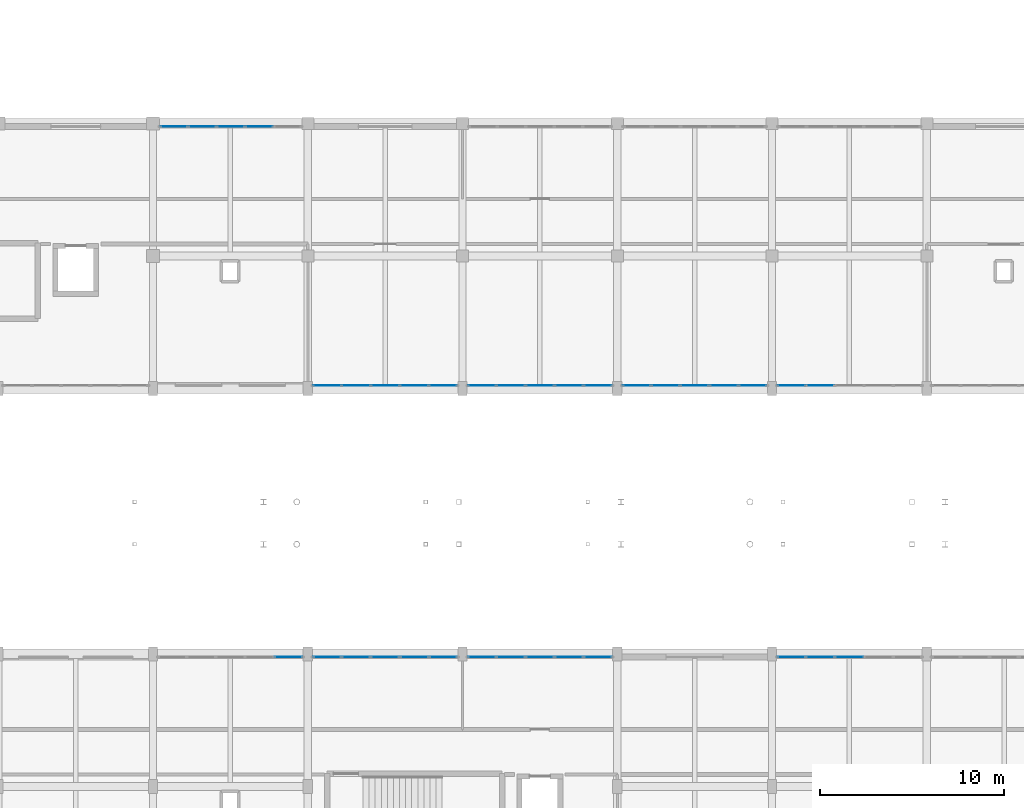
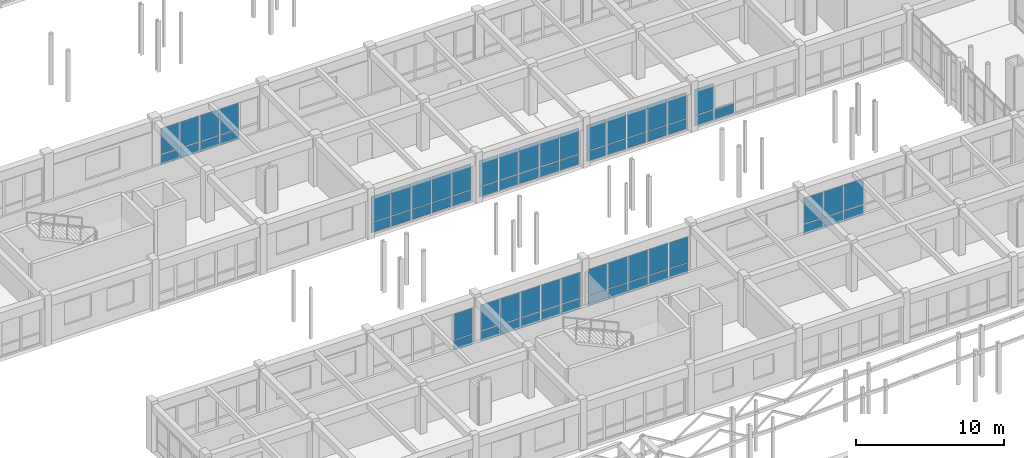
# One storey, part 107 of 147: 69 plates, 9 elements without a shape of their own.
"""IFC4 building model written with IfcOpenShell, lengths in metres."""

import ifcopenshell
import ifcopenshell.guid

model = None  # the IFC model being written
_history = None  # IfcOwnerHistory: only IFC2X3 demands one
_inside = {}  # id of a spatial element -> (the spatial element, [elements in it])
_under = {}  # id of a project, library or spatial element -> (it, [spatial elements below it])
_declared = {}  # id of a project -> (the project, [libraries it declares])
_typed = {}  # id of a type object -> (the type object, [elements of that type])
_made_of = {}  # id of a material, layer set ... -> (it, [elements and type objects made of it])


def new_model(schema):
    """Start an empty IFC model of exactly this schema.

    Asked for "IFC4X3", IfcOpenShell would pick the latest addendum, in which some entities
    have other attributes; the version numbers below select the first issue.
    IFC2X3 requires an IfcOwnerHistory on every rooted entity: one is made here for all.
    """
    global model, _history
    if schema == "IFC4X3":
        model = ifcopenshell.file(schema_version=(4, 3, 0, 0))
    else:
        model = ifcopenshell.file(schema=schema)
    _inside.clear()
    _under.clear()
    _declared.clear()
    _typed.clear()
    _made_of.clear()
    _history = None
    if model.schema == "IFC2X3":
        org = make("IfcOrganization", Name="unknown")
        user = make(
            "IfcPersonAndOrganization",
            ThePerson=make("IfcPerson", FamilyName="unknown"),
            TheOrganization=org,
        )
        app = make(
            "IfcApplication",
            ApplicationDeveloper=org,
            Version="unknown",
            ApplicationFullName="unknown",
            ApplicationIdentifier="unknown",
        )
        _history = make(
            "IfcOwnerHistory",
            OwningUser=user,
            OwningApplication=app,
            ChangeAction="ADDED",
            CreationDate=0,
        )
    return model


def make(cls, **values):
    """One entity of the class cls with the attributes given. An attribute that is None is left unset."""
    return model.create_entity(
        cls, **{name: value for name, value in values.items() if value is not None}
    )


def rooted(cls, **values):
    """An entity with a GlobalId (a new one), such as an element, a storey or a relation."""
    return make(cls, GlobalId=ifcopenshell.guid.new(), OwnerHistory=_history, **values)


def si_unit(unit_type, name, prefix=None):
    """IfcSIUnit, for example si_unit("LENGTHUNIT", "METRE", prefix="MILLI")."""
    return make("IfcSIUnit", UnitType=unit_type, Prefix=prefix, Name=name)


def assignment(units):
    """IfcUnitAssignment: the units of a project."""
    return None if units is None else make("IfcUnitAssignment", Units=units)


def point(xyz):
    """IfcCartesianPoint."""
    return None if xyz is None else make("IfcCartesianPoint", Coordinates=xyz)


def direction(xyz):
    """IfcDirection."""
    return None if xyz is None else make("IfcDirection", DirectionRatios=xyz)


def frame(location, z_axis=None, x_axis=None):
    """IfcAxis2Placement3D, a coordinate frame: its origin and axes. An axis left out is left unset."""
    return make(
        "IfcAxis2Placement3D",
        Location=point(location),
        Axis=direction(z_axis),
        RefDirection=direction(x_axis),
    )


def frame_2d(location, x_axis=None):
    """IfcAxis2Placement2D, a coordinate frame in the plane: its origin and x axis."""
    return make(
        "IfcAxis2Placement2D", Location=point(location), RefDirection=direction(x_axis)
    )


def origin():
    """The frame at (0, 0, 0) with its axes left unset."""
    return frame((0.0, 0.0, 0.0))


def origin_2d():
    """The frame at (0, 0) in the plane with its x axis left unset."""
    return frame_2d((0.0, 0.0))


def place(relative_to, where):
    """IfcLocalPlacement: puts the frame where relative to a parent placement (None: the world)."""
    return make(
        "IfcLocalPlacement", PlacementRelTo=relative_to, RelativePlacement=where
    )


def context(
    kind, dimensions, precision=None, world=None, true_north=None, identifier=None
):
    """IfcGeometricRepresentationContext, for example the 3D "Model" context."""
    return make(
        "IfcGeometricRepresentationContext",
        ContextIdentifier=identifier,
        ContextType=kind,
        CoordinateSpaceDimension=dimensions,
        Precision=precision,
        WorldCoordinateSystem=world,
        TrueNorth=true_north,
    )


def subcontext(parent, identifier, kind, view, scale=None):
    """IfcGeometricRepresentationSubContext, for example "Body" below "Model"."""
    return make(
        "IfcGeometricRepresentationSubContext",
        ContextIdentifier=identifier,
        ContextType=kind,
        ParentContext=parent,
        TargetScale=scale,
        TargetView=view,
    )


def project(units=None, contexts=None):
    """IfcProject with its units and contexts."""
    return rooted(
        "IfcProject",
        Name="project",
        RepresentationContexts=contexts,
        UnitsInContext=assignment(units),
    )


def spatial(cls, under=None, at=None, **own):
    """A site, building, storey or space (cls), placed at a placement, below another one or the project."""
    s = rooted(cls, ObjectPlacement=at, **own)
    if under is not None:
        _under.setdefault(under.id(), (under, []))[1].append(s)
    return s


def profile(cls, at=None, kind="AREA", **sizes):
    """A parametric profile (cls). Its sizes go by their IFC names, for example OverallWidth=200.0."""
    return make(cls, ProfileType=kind, Position=at, **sizes)


def rectangle(**sizes):
    """IfcRectangleProfileDef."""
    return profile("IfcRectangleProfileDef", **sizes)


def extrude(swept, where, along, depth):
    """IfcExtrudedAreaSolid: the profile swept, set in the frame where, extruded along a direction by depth."""
    return make(
        "IfcExtrudedAreaSolid",
        SweptArea=swept,
        Position=where,
        ExtrudedDirection=direction(along),
        Depth=depth,
    )


def shape(context_of_items, identifier, shape_type, items):
    """IfcShapeRepresentation: the items that make up one representation, for example the "Body"."""
    return make(
        "IfcShapeRepresentation",
        ContextOfItems=context_of_items,
        RepresentationIdentifier=identifier,
        RepresentationType=shape_type,
        Items=items,
    )


def material(Name=None, Category=None):
    """IfcMaterial."""
    return make("IfcMaterial", Name=Name, Category=Category)


def layer(
    of_material, thickness, ventilated=None, Name=None, Category=None, Priority=None
):
    """IfcMaterialLayer: one layer of a wall or slab, of a material (None: an air gap)."""
    return make(
        "IfcMaterialLayer",
        Material=of_material,
        LayerThickness=thickness,
        IsVentilated=ventilated,
        Name=Name,
        Category=Category,
        Priority=Priority,
    )


def layer_set(layers, Name=None):
    """IfcMaterialLayerSet."""
    return make("IfcMaterialLayerSet", MaterialLayers=layers, LayerSetName=Name)


def made_of(thing, what):
    """Note that an element or type object is made of a material, layer set ...; save() writes the relation."""
    if what is not None:
        _made_of.setdefault(what.id(), (what, []))[1].append(thing)
    return thing


def type_object(cls, material=None, **own):
    """A type object (cls), such as IfcWallType, which elements share."""
    return made_of(rooted(cls, **own), material)


def element(
    cls,
    number,
    at=None,
    inside=None,
    cuts=None,
    type_object=None,
    material=None,
    context=None,
    identifier="Body",
    shape_type=None,
    held_by="IfcProductDefinitionShape",
    body=None,
    shapes=None,
    **own,
):
    """One element of the class cls, such as IfcWall. Its Tag is "e" and its number.

    at: its placement. inside: the storey or other place that contains it. cuts: it is an
    opening in that element (IfcRelVoidsElement). A single representation is given by context,
    identifier, shape_type and body (its items); several are given by shapes. held_by: the class
    of the entity that holds the representations. save() writes the other relations.
    """
    e = rooted(cls, Tag="e%d" % number, ObjectPlacement=at, **own)
    if body is not None:
        shapes = [shape(context, identifier, shape_type, body)]
    if shapes is not None:
        e.Representation = make(held_by, Representations=shapes)
    if inside is not None:
        _inside.setdefault(inside.id(), (inside, []))[1].append(e)
    if cuts is not None:
        rooted(
            "IfcRelVoidsElement", RelatingBuildingElement=cuts, RelatedOpeningElement=e
        )
    if type_object is not None:
        _typed.setdefault(type_object.id(), (type_object, []))[1].append(e)
    return made_of(e, material)


def aggregate(whole, parts):
    """IfcRelAggregates: a whole, such as a stair, and the parts it consists of."""
    return rooted("IfcRelAggregates", RelatingObject=whole, RelatedObjects=parts)


def save(model, path):
    """Write the relations noted so far, then the file.

    IfcRelAggregates (storeys below a building ...), IfcRelContainedInSpatialStructure (elements
    in a storey), IfcRelDefinesByType, IfcRelAssociatesMaterial and IfcRelDeclares: one each for
    every whole, place, type object, material and project.
    """
    for whole, parts in _under.values():
        aggregate(whole, parts)
    for where, things in _inside.values():
        rooted(
            "IfcRelContainedInSpatialStructure",
            RelatedElements=things,
            RelatingStructure=where,
        )
    for kind, things in _typed.values():
        rooted("IfcRelDefinesByType", RelatedObjects=things, RelatingType=kind)
    for what, things in _made_of.values():
        rooted("IfcRelAssociatesMaterial", RelatedObjects=things, RelatingMaterial=what)
    for by, libraries in _declared.values():
        rooted("IfcRelDeclares", RelatingContext=by, RelatedDefinitions=libraries)
    model.write(path)


model = new_model("IFC4")

# Units and contexts
model_context = context("Model", 3, precision=1e-05, world=origin(), true_north=direction((0.0, 1.0)))
body_context = subcontext(model_context, "Body", "Model", "MODEL_VIEW")
ifc_project = project(units=[si_unit("LENGTHUNIT", "METRE"), si_unit("AREAUNIT", "SQUARE_METRE"), si_unit("VOLUMEUNIT", "CUBIC_METRE"), si_unit("PLANEANGLEUNIT", "RADIAN"), si_unit("MASSUNIT", "GRAM", prefix="KILO")], contexts=[model_context])

# Site, building, storey
site_placement = place(None, origin())
site = spatial("IfcSite", under=ifc_project, at=site_placement, CompositionType="ELEMENT")
building_placement = place(site_placement, origin())
building = spatial("IfcBuilding", under=site, at=building_placement, Name="Malvenik Polytechnic", CompositionType="ELEMENT")
storey_placement = place(building_placement, frame((0.0, 0.0, 5.10009765625)))
storey = spatial("IfcBuildingStorey", under=building, at=storey_placement, Name="L01", CompositionType="ELEMENT", Elevation=5.10009765625)

# Curtain wall, plate
ifc_material_1 = material(Name="Anodised aluminium 6060-T6", Category="aluminium")
curtain_wall_type = type_object("IfcCurtainWallType", Name="ARC-CW-CW-02", PredefinedType="NOTDEFINED", material=ifc_material_1)
curtain_wall_1_placement = place(storey_placement, origin())
curtain_wall_1 = element("IfcCurtainWall", 1, at=curtain_wall_1_placement, inside=storey, type_object=curtain_wall_type, Name="Unitised Curtain Wall CW-02 L01 #26", PredefinedType="NOTDEFINED")
ifc_material_2 = material(Name="Insulated low-E double glazing 8-16-8", Category="glass")
ifc_layer_1 = layer(ifc_material_2, 0.028076171875)
ifc_layer_set_1 = layer_set([ifc_layer_1], Name="Insulated low-E double glazing 8-16-8")
plate_type_1 = type_object("IfcPlateType", Name="ARC-CWP-CP-GLZ28", PredefinedType="CURTAIN_PANEL", material=ifc_layer_set_1)
plate_1_placement = place(storey_placement, frame((59.853515625, 79.3701171875, 0.929931640625), z_axis=(0.0, 0.0, 1.0), x_axis=(-1.0, 0.0, 0.0)))
plate_1 = element("IfcPlate", 2, at=plate_1_placement, type_object=plate_type_1, Name="CW-02 panel 5.2", PredefinedType="CURTAIN_PANEL", context=body_context, shape_type="SweptSolid", body=[
    extrude(rectangle(XDim=1.49072265625, YDim=0.028076171875, at=origin_2d()), origin(), (0.0, 0.0, 1.0), 2.1201171875),
])

# Curtain wall, plates
curtain_wall_2_placement = place(storey_placement, origin())
curtain_wall_2 = element("IfcCurtainWall", 3, at=curtain_wall_2_placement, inside=storey, type_object=curtain_wall_type, Name="Unitised Curtain Wall CW-02 L01 #27", PredefinedType="NOTDEFINED")
plate_2_placement = place(storey_placement, frame((57.74658203125, 79.3701171875, 0.929931640625), z_axis=(0.0, 0.0, 1.0), x_axis=(-1.0, 0.0, 0.0)))
plate_2 = element("IfcPlate", 4, at=plate_2_placement, type_object=plate_type_1, Name="CW-02 panel 1.2", PredefinedType="CURTAIN_PANEL", context=body_context, shape_type="SweptSolid", body=[
    extrude(rectangle(XDim=1.49072265625, YDim=0.028076171875, at=origin_2d()), origin(), (0.0, 0.0, 1.0), 2.1201171875),
])
plate_3_placement = place(storey_placement, frame((56.180908203125, 79.3701171875, 0.929931640625), z_axis=(0.0, 0.0, 1.0), x_axis=(-1.0, 0.0, 0.0)))
plate_3 = element("IfcPlate", 5, at=plate_3_placement, type_object=plate_type_1, Name="CW-02 panel 2.2", PredefinedType="CURTAIN_PANEL", context=body_context, shape_type="SweptSolid", body=[
    extrude(rectangle(XDim=1.520751953125, YDim=0.028076171875, at=origin_2d()), origin(), (0.0, 0.0, 1.0), 2.1201171875),
])
plate_4_placement = place(storey_placement, frame((54.60009765625, 79.3701171875, 0.929931640625), z_axis=(0.0, 0.0, 1.0), x_axis=(-1.0, 0.0, 0.0)))
plate_4 = element("IfcPlate", 6, at=plate_4_placement, type_object=plate_type_1, Name="CW-02 panel 3.2", PredefinedType="CURTAIN_PANEL", context=body_context, shape_type="SweptSolid", body=[
    extrude(rectangle(XDim=1.520751953125, YDim=0.028076171875, at=origin_2d()), origin(), (0.0, 0.0, 1.0), 2.1201171875),
])
plate_5_placement = place(storey_placement, frame((53.019287109375, 79.3701171875, 0.929931640625), z_axis=(0.0, 0.0, 1.0), x_axis=(-1.0, 0.0, 0.0)))
plate_5 = element("IfcPlate", 7, at=plate_5_placement, type_object=plate_type_1, Name="CW-02 panel 4.2", PredefinedType="CURTAIN_PANEL", context=body_context, shape_type="SweptSolid", body=[
    extrude(rectangle(XDim=1.520751953125, YDim=0.028076171875, at=origin_2d()), origin(), (0.0, 0.0, 1.0), 2.1201171875),
])
plate_6_placement = place(storey_placement, frame((51.453369140625, 79.3701171875, 0.929931640625), z_axis=(0.0, 0.0, 1.0), x_axis=(-1.0, 0.0, 0.0)))
plate_6 = element("IfcPlate", 8, at=plate_6_placement, type_object=plate_type_1, Name="CW-02 panel 5.2", PredefinedType="CURTAIN_PANEL", context=body_context, shape_type="SweptSolid", body=[
    extrude(rectangle(XDim=1.49072265625, YDim=0.028076171875, at=origin_2d()), origin(), (0.0, 0.0, 1.0), 2.1201171875),
])

curtain_wall_3_placement = place(storey_placement, origin())
curtain_wall_3 = element("IfcCurtainWall", 9, at=curtain_wall_3_placement, inside=storey, type_object=curtain_wall_type, Name="Unitised Curtain Wall CW-02 L01 #28", PredefinedType="NOTDEFINED")
plate_7_placement = place(storey_placement, frame((49.3466796875, 79.3701171875, 0.929931640625), z_axis=(0.0, 0.0, 1.0), x_axis=(-1.0, 0.0, 0.0)))
plate_7 = element("IfcPlate", 10, at=plate_7_placement, type_object=plate_type_1, Name="CW-02 panel 1.2", PredefinedType="CURTAIN_PANEL", context=body_context, shape_type="SweptSolid", body=[
    extrude(rectangle(XDim=1.49072265625, YDim=0.028076171875, at=origin_2d()), origin(), (0.0, 0.0, 1.0), 2.1201171875),
])
plate_8_placement = place(storey_placement, frame((47.78076171875, 79.3701171875, 0.929931640625), z_axis=(0.0, 0.0, 1.0), x_axis=(-1.0, 0.0, 0.0)))
plate_8 = element("IfcPlate", 11, at=plate_8_placement, type_object=plate_type_1, Name="CW-02 panel 2.2", PredefinedType="CURTAIN_PANEL", context=body_context, shape_type="SweptSolid", body=[
    extrude(rectangle(XDim=1.520751953125, YDim=0.028076171875, at=origin_2d()), origin(), (0.0, 0.0, 1.0), 2.1201171875),
])
plate_9_placement = place(storey_placement, frame((46.199951171875, 79.3701171875, 0.929931640625), z_axis=(0.0, 0.0, 1.0), x_axis=(-1.0, 0.0, 0.0)))
plate_9 = element("IfcPlate", 12, at=plate_9_placement, type_object=plate_type_1, Name="CW-02 panel 3.2", PredefinedType="CURTAIN_PANEL", context=body_context, shape_type="SweptSolid", body=[
    extrude(rectangle(XDim=1.520751953125, YDim=0.028076171875, at=origin_2d()), origin(), (0.0, 0.0, 1.0), 2.1201171875),
])
plate_10_placement = place(storey_placement, frame((44.619140625, 79.3701171875, 0.929931640625), z_axis=(0.0, 0.0, 1.0), x_axis=(-1.0, 0.0, 0.0)))
plate_10 = element("IfcPlate", 13, at=plate_10_placement, type_object=plate_type_1, Name="CW-02 panel 4.2", PredefinedType="CURTAIN_PANEL", context=body_context, shape_type="SweptSolid", body=[
    extrude(rectangle(XDim=1.520751953125, YDim=0.028076171875, at=origin_2d()), origin(), (0.0, 0.0, 1.0), 2.1201171875),
])
plate_11_placement = place(storey_placement, frame((43.053466796875, 79.3701171875, 0.929931640625), z_axis=(0.0, 0.0, 1.0), x_axis=(-1.0, 0.0, 0.0)))
plate_11 = element("IfcPlate", 14, at=plate_11_placement, type_object=plate_type_1, Name="CW-02 panel 5.2", PredefinedType="CURTAIN_PANEL", context=body_context, shape_type="SweptSolid", body=[
    extrude(rectangle(XDim=1.49072265625, YDim=0.028076171875, at=origin_2d()), origin(), (0.0, 0.0, 1.0), 2.1201171875),
])

curtain_wall_4_placement = place(storey_placement, origin())
curtain_wall_4 = element("IfcCurtainWall", 15, at=curtain_wall_4_placement, inside=storey, type_object=curtain_wall_type, Name="Unitised Curtain Wall CW-02 L01 #29", PredefinedType="NOTDEFINED")
plate_12_placement = place(storey_placement, frame((40.946533203125, 79.3701171875, 0.929931640625), z_axis=(0.0, 0.0, 1.0), x_axis=(-1.0, 0.0, 0.0)))
plate_12 = element("IfcPlate", 16, at=plate_12_placement, type_object=plate_type_1, Name="CW-02 panel 1.2", PredefinedType="CURTAIN_PANEL", context=body_context, shape_type="SweptSolid", body=[
    extrude(rectangle(XDim=1.49072265625, YDim=0.028076171875, at=origin_2d()), origin(), (0.0, 0.0, 1.0), 2.1201171875),
])
plate_13_placement = place(storey_placement, frame((39.380859375, 79.3701171875, 0.929931640625), z_axis=(0.0, 0.0, 1.0), x_axis=(-1.0, 0.0, 0.0)))
plate_13 = element("IfcPlate", 17, at=plate_13_placement, type_object=plate_type_1, Name="CW-02 panel 2.2", PredefinedType="CURTAIN_PANEL", context=body_context, shape_type="SweptSolid", body=[
    extrude(rectangle(XDim=1.520751953125, YDim=0.028076171875, at=origin_2d()), origin(), (0.0, 0.0, 1.0), 2.1201171875),
])
plate_14_placement = place(storey_placement, frame((37.800048828125, 79.3701171875, 0.929931640625), z_axis=(0.0, 0.0, 1.0), x_axis=(-1.0, 0.0, 0.0)))
plate_14 = element("IfcPlate", 18, at=plate_14_placement, type_object=plate_type_1, Name="CW-02 panel 3.2", PredefinedType="CURTAIN_PANEL", context=body_context, shape_type="SweptSolid", body=[
    extrude(rectangle(XDim=1.520751953125, YDim=0.028076171875, at=origin_2d()), origin(), (0.0, 0.0, 1.0), 2.1201171875),
])
plate_15_placement = place(storey_placement, frame((36.21923828125, 79.3701171875, 0.929931640625), z_axis=(0.0, 0.0, 1.0), x_axis=(-1.0, 0.0, 0.0)))
plate_15 = element("IfcPlate", 19, at=plate_15_placement, type_object=plate_type_1, Name="CW-02 panel 4.2", PredefinedType="CURTAIN_PANEL", context=body_context, shape_type="SweptSolid", body=[
    extrude(rectangle(XDim=1.520751953125, YDim=0.028076171875, at=origin_2d()), origin(), (0.0, 0.0, 1.0), 2.1201171875),
])
plate_16_placement = place(storey_placement, frame((34.6533203125, 79.3701171875, 0.929931640625), z_axis=(0.0, 0.0, 1.0), x_axis=(-1.0, 0.0, 0.0)))
plate_16 = element("IfcPlate", 20, at=plate_16_placement, type_object=plate_type_1, Name="CW-02 panel 5.2", PredefinedType="CURTAIN_PANEL", context=body_context, shape_type="SweptSolid", body=[
    extrude(rectangle(XDim=1.49072265625, YDim=0.028076171875, at=origin_2d()), origin(), (0.0, 0.0, 1.0), 2.1201171875),
])

curtain_wall_5_placement = place(storey_placement, origin())
curtain_wall_5 = element("IfcCurtainWall", 21, at=curtain_wall_5_placement, inside=storey, type_object=curtain_wall_type, Name="Unitised Curtain Wall CW-02 L01 #34", PredefinedType="NOTDEFINED")
plate_17_placement = place(storey_placement, frame((26.3359375, 93.429931640625, 0.929931640625), z_axis=(0.0, 0.0, 1.0), x_axis=(1.0, 0.0, 0.0)))
plate_17 = element("IfcPlate", 22, at=plate_17_placement, type_object=plate_type_1, Name="CW-02 panel 1.2", PredefinedType="CURTAIN_PANEL", context=body_context, shape_type="SweptSolid", body=[
    extrude(rectangle(XDim=1.455810546875, YDim=0.028076171875, at=origin_2d()), origin(), (0.0, 0.0, 1.0), 2.1201171875),
])
plate_18_placement = place(storey_placement, frame((27.86669921875, 93.429931640625, 0.929931640625), z_axis=(0.0, 0.0, 1.0), x_axis=(1.0, 0.0, 0.0)))
plate_18 = element("IfcPlate", 23, at=plate_18_placement, type_object=plate_type_1, Name="CW-02 panel 2.2", PredefinedType="CURTAIN_PANEL", context=body_context, shape_type="SweptSolid", body=[
    extrude(rectangle(XDim=1.48583984375, YDim=0.028076171875, at=origin_2d()), origin(), (0.0, 0.0, 1.0), 2.1201171875),
])
plate_19_placement = place(storey_placement, frame((29.41259765625, 93.429931640625, 0.929931640625), z_axis=(0.0, 0.0, 1.0), x_axis=(1.0, 0.0, 0.0)))
plate_19 = element("IfcPlate", 24, at=plate_19_placement, type_object=plate_type_1, Name="CW-02 panel 3.2", PredefinedType="CURTAIN_PANEL", context=body_context, shape_type="SweptSolid", body=[
    extrude(rectangle(XDim=1.48583984375, YDim=0.028076171875, at=origin_2d()), origin(), (0.0, 0.0, 1.0), 2.1201171875),
])
plate_20_placement = place(storey_placement, frame((30.958251953125, 93.429931640625, 0.929931640625), z_axis=(0.0, 0.0, 1.0), x_axis=(1.0, 0.0, 0.0)))
plate_20 = element("IfcPlate", 25, at=plate_20_placement, type_object=plate_type_1, Name="CW-02 panel 4.2", PredefinedType="CURTAIN_PANEL", context=body_context, shape_type="SweptSolid", body=[
    extrude(rectangle(XDim=1.48583984375, YDim=0.028076171875, at=origin_2d()), origin(), (0.0, 0.0, 1.0), 2.1201171875),
])

# Curtain wall, plate
curtain_wall_6_placement = place(storey_placement, origin())
curtain_wall_6 = element("IfcCurtainWall", 26, at=curtain_wall_6_placement, inside=storey, type_object=curtain_wall_type, Name="Unitised Curtain Wall CW-02 L01 #125", PredefinedType="NOTDEFINED")
plate_21_placement = place(storey_placement, frame((32.546630859375, 64.6298828125, 0.929931640625), z_axis=(0.0, 0.0, 1.0), x_axis=(1.0, 0.0, 0.0)))
plate_21 = element("IfcPlate", 27, at=plate_21_placement, type_object=plate_type_1, Name="CW-02 panel 5.2", PredefinedType="CURTAIN_PANEL", context=body_context, shape_type="SweptSolid", body=[
    extrude(rectangle(XDim=1.49072265625, YDim=0.028076171875, at=origin_2d()), origin(), (0.0, 0.0, 1.0), 2.1201171875),
])

# Curtain wall, plates
curtain_wall_7_placement = place(storey_placement, origin())
curtain_wall_7 = element("IfcCurtainWall", 28, at=curtain_wall_7_placement, inside=storey, type_object=curtain_wall_type, Name="Unitised Curtain Wall CW-02 L01 #126", PredefinedType="NOTDEFINED")
plate_22_placement = place(storey_placement, frame((34.6533203125, 64.6298828125, 0.929931640625), z_axis=(0.0, 0.0, 1.0), x_axis=(1.0, 0.0, 0.0)))
plate_22 = element("IfcPlate", 29, at=plate_22_placement, type_object=plate_type_1, Name="CW-02 panel 1.2", PredefinedType="CURTAIN_PANEL", context=body_context, shape_type="SweptSolid", body=[
    extrude(rectangle(XDim=1.49072265625, YDim=0.028076171875, at=origin_2d()), origin(), (0.0, 0.0, 1.0), 2.1201171875),
])
plate_23_placement = place(storey_placement, frame((36.21923828125, 64.6298828125, 0.929931640625), z_axis=(0.0, 0.0, 1.0), x_axis=(1.0, 0.0, 0.0)))
plate_23 = element("IfcPlate", 30, at=plate_23_placement, type_object=plate_type_1, Name="CW-02 panel 2.2", PredefinedType="CURTAIN_PANEL", context=body_context, shape_type="SweptSolid", body=[
    extrude(rectangle(XDim=1.520751953125, YDim=0.028076171875, at=origin_2d()), origin(), (0.0, 0.0, 1.0), 2.1201171875),
])
plate_24_placement = place(storey_placement, frame((37.800048828125, 64.6298828125, 0.929931640625), z_axis=(0.0, 0.0, 1.0), x_axis=(1.0, 0.0, 0.0)))
plate_24 = element("IfcPlate", 31, at=plate_24_placement, type_object=plate_type_1, Name="CW-02 panel 3.2", PredefinedType="CURTAIN_PANEL", context=body_context, shape_type="SweptSolid", body=[
    extrude(rectangle(XDim=1.520751953125, YDim=0.028076171875, at=origin_2d()), origin(), (0.0, 0.0, 1.0), 2.1201171875),
])
plate_25_placement = place(storey_placement, frame((39.380859375, 64.6298828125, 0.929931640625), z_axis=(0.0, 0.0, 1.0), x_axis=(1.0, 0.0, 0.0)))
plate_25 = element("IfcPlate", 32, at=plate_25_placement, type_object=plate_type_1, Name="CW-02 panel 4.2", PredefinedType="CURTAIN_PANEL", context=body_context, shape_type="SweptSolid", body=[
    extrude(rectangle(XDim=1.520751953125, YDim=0.028076171875, at=origin_2d()), origin(), (0.0, 0.0, 1.0), 2.1201171875),
])
plate_26_placement = place(storey_placement, frame((40.946533203125, 64.6298828125, 0.929931640625), z_axis=(0.0, 0.0, 1.0), x_axis=(1.0, 0.0, 0.0)))
plate_26 = element("IfcPlate", 33, at=plate_26_placement, type_object=plate_type_1, Name="CW-02 panel 5.2", PredefinedType="CURTAIN_PANEL", context=body_context, shape_type="SweptSolid", body=[
    extrude(rectangle(XDim=1.49072265625, YDim=0.028076171875, at=origin_2d()), origin(), (0.0, 0.0, 1.0), 2.1201171875),
])

curtain_wall_8_placement = place(storey_placement, origin())
curtain_wall_8 = element("IfcCurtainWall", 34, at=curtain_wall_8_placement, inside=storey, type_object=curtain_wall_type, Name="Unitised Curtain Wall CW-02 L01 #127", PredefinedType="NOTDEFINED")
plate_27_placement = place(storey_placement, frame((43.053466796875, 64.6298828125, 0.929931640625), z_axis=(0.0, 0.0, 1.0), x_axis=(1.0, 0.0, 0.0)))
plate_27 = element("IfcPlate", 35, at=plate_27_placement, type_object=plate_type_1, Name="CW-02 panel 1.2", PredefinedType="CURTAIN_PANEL", context=body_context, shape_type="SweptSolid", body=[
    extrude(rectangle(XDim=1.49072265625, YDim=0.028076171875, at=origin_2d()), origin(), (0.0, 0.0, 1.0), 2.1201171875),
])
plate_28_placement = place(storey_placement, frame((44.619140625, 64.6298828125, 0.929931640625), z_axis=(0.0, 0.0, 1.0), x_axis=(1.0, 0.0, 0.0)))
plate_28 = element("IfcPlate", 36, at=plate_28_placement, type_object=plate_type_1, Name="CW-02 panel 2.2", PredefinedType="CURTAIN_PANEL", context=body_context, shape_type="SweptSolid", body=[
    extrude(rectangle(XDim=1.520751953125, YDim=0.028076171875, at=origin_2d()), origin(), (0.0, 0.0, 1.0), 2.1201171875),
])
plate_29_placement = place(storey_placement, frame((46.199951171875, 64.6298828125, 0.929931640625), z_axis=(0.0, 0.0, 1.0), x_axis=(1.0, 0.0, 0.0)))
plate_29 = element("IfcPlate", 37, at=plate_29_placement, type_object=plate_type_1, Name="CW-02 panel 3.2", PredefinedType="CURTAIN_PANEL", context=body_context, shape_type="SweptSolid", body=[
    extrude(rectangle(XDim=1.520751953125, YDim=0.028076171875, at=origin_2d()), origin(), (0.0, 0.0, 1.0), 2.1201171875),
])
plate_30_placement = place(storey_placement, frame((47.78076171875, 64.6298828125, 0.929931640625), z_axis=(0.0, 0.0, 1.0), x_axis=(1.0, 0.0, 0.0)))
plate_30 = element("IfcPlate", 38, at=plate_30_placement, type_object=plate_type_1, Name="CW-02 panel 4.2", PredefinedType="CURTAIN_PANEL", context=body_context, shape_type="SweptSolid", body=[
    extrude(rectangle(XDim=1.520751953125, YDim=0.028076171875, at=origin_2d()), origin(), (0.0, 0.0, 1.0), 2.1201171875),
])
plate_31_placement = place(storey_placement, frame((49.3466796875, 64.6298828125, 0.929931640625), z_axis=(0.0, 0.0, 1.0), x_axis=(1.0, 0.0, 0.0)))
plate_31 = element("IfcPlate", 39, at=plate_31_placement, type_object=plate_type_1, Name="CW-02 panel 5.2", PredefinedType="CURTAIN_PANEL", context=body_context, shape_type="SweptSolid", body=[
    extrude(rectangle(XDim=1.49072265625, YDim=0.028076171875, at=origin_2d()), origin(), (0.0, 0.0, 1.0), 2.1201171875),
])

curtain_wall_9_placement = place(storey_placement, origin())
curtain_wall_9 = element("IfcCurtainWall", 40, at=curtain_wall_9_placement, inside=storey, type_object=curtain_wall_type, Name="Unitised Curtain Wall CW-02 L01 #128", PredefinedType="NOTDEFINED")
plate_32_placement = place(storey_placement, frame((59.853515625, 64.6298828125, 0.929931640625), z_axis=(0.0, 0.0, 1.0), x_axis=(1.0, 0.0, 0.0)))
plate_32 = element("IfcPlate", 41, at=plate_32_placement, type_object=plate_type_1, Name="CW-02 panel 1.2", PredefinedType="CURTAIN_PANEL", context=body_context, shape_type="SweptSolid", body=[
    extrude(rectangle(XDim=1.49072265625, YDim=0.028076171875, at=origin_2d()), origin(), (0.0, 0.0, 1.0), 2.1201171875),
])
plate_33_placement = place(storey_placement, frame((61.419189453125, 64.6298828125, 0.929931640625), z_axis=(0.0, 0.0, 1.0), x_axis=(1.0, 0.0, 0.0)))
plate_33 = element("IfcPlate", 42, at=plate_33_placement, type_object=plate_type_1, Name="CW-02 panel 2.2", PredefinedType="CURTAIN_PANEL", context=body_context, shape_type="SweptSolid", body=[
    extrude(rectangle(XDim=1.520751953125, YDim=0.028076171875, at=origin_2d()), origin(), (0.0, 0.0, 1.0), 2.1201171875),
])
plate_34_placement = place(storey_placement, frame((63.0, 64.6298828125, 0.929931640625), z_axis=(0.0, 0.0, 1.0), x_axis=(1.0, 0.0, 0.0)))
plate_34 = element("IfcPlate", 43, at=plate_34_placement, type_object=plate_type_1, Name="CW-02 panel 3.2", PredefinedType="CURTAIN_PANEL", context=body_context, shape_type="SweptSolid", body=[
    extrude(rectangle(XDim=1.520751953125, YDim=0.028076171875, at=origin_2d()), origin(), (0.0, 0.0, 1.0), 2.1201171875),
])

# Plate
ifc_material_3 = material(Name="Insulated aluminium spandrel cassette 42mm", Category="aluminium")
ifc_layer_2 = layer(ifc_material_3, 0.0419921875)
ifc_layer_set_2 = layer_set([ifc_layer_2], Name="Insulated aluminium spandrel cassette 42mm")
plate_type_2 = type_object("IfcPlateType", Name="ARC-CWP-CP-SPN42", PredefinedType="CURTAIN_PANEL", material=ifc_layer_set_2)
plate_35_placement = place(storey_placement, frame((61.419189453125, 79.3701171875, 0.059814453125), z_axis=(0.0, 0.0, 1.0), x_axis=(-1.0, 0.0, 0.0)))
plate_35 = element("IfcPlate", 44, at=plate_35_placement, type_object=plate_type_2, Name="CW-02 panel 4.1", PredefinedType="CURTAIN_PANEL", context=body_context, shape_type="SweptSolid", body=[
    extrude(rectangle(XDim=1.520751953125, YDim=0.028076171875, at=origin_2d()), origin(), (0.0, 0.0, 1.0), 0.81005859375),
])

plate_36_placement = place(storey_placement, frame((59.853515625, 79.3701171875, 0.059814453125), z_axis=(0.0, 0.0, 1.0), x_axis=(-1.0, 0.0, 0.0)))
plate_36 = element("IfcPlate", 45, at=plate_36_placement, type_object=plate_type_2, Name="CW-02 panel 5.1", PredefinedType="CURTAIN_PANEL", context=body_context, shape_type="SweptSolid", body=[
    extrude(rectangle(XDim=1.49072265625, YDim=0.028076171875, at=origin_2d()), origin(), (0.0, 0.0, 1.0), 0.81005859375),
])

aggregate(curtain_wall_1, [plate_35, plate_36, plate_1])

plate_37_placement = place(storey_placement, frame((57.74658203125, 79.3701171875, 0.059814453125), z_axis=(0.0, 0.0, 1.0), x_axis=(-1.0, 0.0, 0.0)))
plate_37 = element("IfcPlate", 46, at=plate_37_placement, type_object=plate_type_2, Name="CW-02 panel 1.1", PredefinedType="CURTAIN_PANEL", context=body_context, shape_type="SweptSolid", body=[
    extrude(rectangle(XDim=1.49072265625, YDim=0.028076171875, at=origin_2d()), origin(), (0.0, 0.0, 1.0), 0.81005859375),
])

plate_38_placement = place(storey_placement, frame((56.180908203125, 79.3701171875, 0.059814453125), z_axis=(0.0, 0.0, 1.0), x_axis=(-1.0, 0.0, 0.0)))
plate_38 = element("IfcPlate", 47, at=plate_38_placement, type_object=plate_type_2, Name="CW-02 panel 2.1", PredefinedType="CURTAIN_PANEL", context=body_context, shape_type="SweptSolid", body=[
    extrude(rectangle(XDim=1.520751953125, YDim=0.028076171875, at=origin_2d()), origin(), (0.0, 0.0, 1.0), 0.81005859375),
])

plate_39_placement = place(storey_placement, frame((54.60009765625, 79.3701171875, 0.059814453125), z_axis=(0.0, 0.0, 1.0), x_axis=(-1.0, 0.0, 0.0)))
plate_39 = element("IfcPlate", 48, at=plate_39_placement, type_object=plate_type_2, Name="CW-02 panel 3.1", PredefinedType="CURTAIN_PANEL", context=body_context, shape_type="SweptSolid", body=[
    extrude(rectangle(XDim=1.520751953125, YDim=0.028076171875, at=origin_2d()), origin(), (0.0, 0.0, 1.0), 0.81005859375),
])

plate_40_placement = place(storey_placement, frame((53.019287109375, 79.3701171875, 0.059814453125), z_axis=(0.0, 0.0, 1.0), x_axis=(-1.0, 0.0, 0.0)))
plate_40 = element("IfcPlate", 49, at=plate_40_placement, type_object=plate_type_2, Name="CW-02 panel 4.1", PredefinedType="CURTAIN_PANEL", context=body_context, shape_type="SweptSolid", body=[
    extrude(rectangle(XDim=1.520751953125, YDim=0.028076171875, at=origin_2d()), origin(), (0.0, 0.0, 1.0), 0.81005859375),
])

plate_41_placement = place(storey_placement, frame((51.453369140625, 79.3701171875, 0.059814453125), z_axis=(0.0, 0.0, 1.0), x_axis=(-1.0, 0.0, 0.0)))
plate_41 = element("IfcPlate", 50, at=plate_41_placement, type_object=plate_type_2, Name="CW-02 panel 5.1", PredefinedType="CURTAIN_PANEL", context=body_context, shape_type="SweptSolid", body=[
    extrude(rectangle(XDim=1.49072265625, YDim=0.028076171875, at=origin_2d()), origin(), (0.0, 0.0, 1.0), 0.81005859375),
])

aggregate(curtain_wall_2, [plate_37, plate_2, plate_38, plate_3, plate_39, plate_4, plate_40, plate_5, plate_41, plate_6])

plate_42_placement = place(storey_placement, frame((49.3466796875, 79.3701171875, 0.059814453125), z_axis=(0.0, 0.0, 1.0), x_axis=(-1.0, 0.0, 0.0)))
plate_42 = element("IfcPlate", 51, at=plate_42_placement, type_object=plate_type_2, Name="CW-02 panel 1.1", PredefinedType="CURTAIN_PANEL", context=body_context, shape_type="SweptSolid", body=[
    extrude(rectangle(XDim=1.49072265625, YDim=0.028076171875, at=origin_2d()), origin(), (0.0, 0.0, 1.0), 0.81005859375),
])

plate_43_placement = place(storey_placement, frame((47.78076171875, 79.3701171875, 0.059814453125), z_axis=(0.0, 0.0, 1.0), x_axis=(-1.0, 0.0, 0.0)))
plate_43 = element("IfcPlate", 52, at=plate_43_placement, type_object=plate_type_2, Name="CW-02 panel 2.1", PredefinedType="CURTAIN_PANEL", context=body_context, shape_type="SweptSolid", body=[
    extrude(rectangle(XDim=1.520751953125, YDim=0.028076171875, at=origin_2d()), origin(), (0.0, 0.0, 1.0), 0.81005859375),
])

plate_44_placement = place(storey_placement, frame((46.199951171875, 79.3701171875, 0.059814453125), z_axis=(0.0, 0.0, 1.0), x_axis=(-1.0, 0.0, 0.0)))
plate_44 = element("IfcPlate", 53, at=plate_44_placement, type_object=plate_type_2, Name="CW-02 panel 3.1", PredefinedType="CURTAIN_PANEL", context=body_context, shape_type="SweptSolid", body=[
    extrude(rectangle(XDim=1.520751953125, YDim=0.028076171875, at=origin_2d()), origin(), (0.0, 0.0, 1.0), 0.81005859375),
])

plate_45_placement = place(storey_placement, frame((44.619140625, 79.3701171875, 0.059814453125), z_axis=(0.0, 0.0, 1.0), x_axis=(-1.0, 0.0, 0.0)))
plate_45 = element("IfcPlate", 54, at=plate_45_placement, type_object=plate_type_2, Name="CW-02 panel 4.1", PredefinedType="CURTAIN_PANEL", context=body_context, shape_type="SweptSolid", body=[
    extrude(rectangle(XDim=1.520751953125, YDim=0.028076171875, at=origin_2d()), origin(), (0.0, 0.0, 1.0), 0.81005859375),
])

plate_46_placement = place(storey_placement, frame((43.053466796875, 79.3701171875, 0.059814453125), z_axis=(0.0, 0.0, 1.0), x_axis=(-1.0, 0.0, 0.0)))
plate_46 = element("IfcPlate", 55, at=plate_46_placement, type_object=plate_type_2, Name="CW-02 panel 5.1", PredefinedType="CURTAIN_PANEL", context=body_context, shape_type="SweptSolid", body=[
    extrude(rectangle(XDim=1.49072265625, YDim=0.028076171875, at=origin_2d()), origin(), (0.0, 0.0, 1.0), 0.81005859375),
])

aggregate(curtain_wall_3, [plate_42, plate_7, plate_43, plate_8, plate_44, plate_9, plate_45, plate_10, plate_46, plate_11])

plate_47_placement = place(storey_placement, frame((40.946533203125, 79.3701171875, 0.059814453125), z_axis=(0.0, 0.0, 1.0), x_axis=(-1.0, 0.0, 0.0)))
plate_47 = element("IfcPlate", 56, at=plate_47_placement, type_object=plate_type_2, Name="CW-02 panel 1.1", PredefinedType="CURTAIN_PANEL", context=body_context, shape_type="SweptSolid", body=[
    extrude(rectangle(XDim=1.49072265625, YDim=0.028076171875, at=origin_2d()), origin(), (0.0, 0.0, 1.0), 0.81005859375),
])

plate_48_placement = place(storey_placement, frame((39.380859375, 79.3701171875, 0.059814453125), z_axis=(0.0, 0.0, 1.0), x_axis=(-1.0, 0.0, 0.0)))
plate_48 = element("IfcPlate", 57, at=plate_48_placement, type_object=plate_type_2, Name="CW-02 panel 2.1", PredefinedType="CURTAIN_PANEL", context=body_context, shape_type="SweptSolid", body=[
    extrude(rectangle(XDim=1.520751953125, YDim=0.028076171875, at=origin_2d()), origin(), (0.0, 0.0, 1.0), 0.81005859375),
])

plate_49_placement = place(storey_placement, frame((37.800048828125, 79.3701171875, 0.059814453125), z_axis=(0.0, 0.0, 1.0), x_axis=(-1.0, 0.0, 0.0)))
plate_49 = element("IfcPlate", 58, at=plate_49_placement, type_object=plate_type_2, Name="CW-02 panel 3.1", PredefinedType="CURTAIN_PANEL", context=body_context, shape_type="SweptSolid", body=[
    extrude(rectangle(XDim=1.520751953125, YDim=0.028076171875, at=origin_2d()), origin(), (0.0, 0.0, 1.0), 0.81005859375),
])

plate_50_placement = place(storey_placement, frame((36.21923828125, 79.3701171875, 0.059814453125), z_axis=(0.0, 0.0, 1.0), x_axis=(-1.0, 0.0, 0.0)))
plate_50 = element("IfcPlate", 59, at=plate_50_placement, type_object=plate_type_2, Name="CW-02 panel 4.1", PredefinedType="CURTAIN_PANEL", context=body_context, shape_type="SweptSolid", body=[
    extrude(rectangle(XDim=1.520751953125, YDim=0.028076171875, at=origin_2d()), origin(), (0.0, 0.0, 1.0), 0.81005859375),
])

plate_51_placement = place(storey_placement, frame((34.6533203125, 79.3701171875, 0.059814453125), z_axis=(0.0, 0.0, 1.0), x_axis=(-1.0, 0.0, 0.0)))
plate_51 = element("IfcPlate", 60, at=plate_51_placement, type_object=plate_type_2, Name="CW-02 panel 5.1", PredefinedType="CURTAIN_PANEL", context=body_context, shape_type="SweptSolid", body=[
    extrude(rectangle(XDim=1.49072265625, YDim=0.028076171875, at=origin_2d()), origin(), (0.0, 0.0, 1.0), 0.81005859375),
])

aggregate(curtain_wall_4, [plate_47, plate_12, plate_48, plate_13, plate_49, plate_14, plate_50, plate_15, plate_51, plate_16])

plate_52_placement = place(storey_placement, frame((26.3359375, 93.429931640625, 0.059814453125), z_axis=(0.0, 0.0, 1.0), x_axis=(1.0, 0.0, 0.0)))
plate_52 = element("IfcPlate", 61, at=plate_52_placement, type_object=plate_type_2, Name="CW-02 panel 1.1", PredefinedType="CURTAIN_PANEL", context=body_context, shape_type="SweptSolid", body=[
    extrude(rectangle(XDim=1.455810546875, YDim=0.028076171875, at=origin_2d()), origin(), (0.0, 0.0, 1.0), 0.81005859375),
])

plate_53_placement = place(storey_placement, frame((27.86669921875, 93.429931640625, 0.059814453125), z_axis=(0.0, 0.0, 1.0), x_axis=(1.0, 0.0, 0.0)))
plate_53 = element("IfcPlate", 62, at=plate_53_placement, type_object=plate_type_2, Name="CW-02 panel 2.1", PredefinedType="CURTAIN_PANEL", context=body_context, shape_type="SweptSolid", body=[
    extrude(rectangle(XDim=1.48583984375, YDim=0.028076171875, at=origin_2d()), origin(), (0.0, 0.0, 1.0), 0.81005859375),
])

plate_54_placement = place(storey_placement, frame((29.41259765625, 93.429931640625, 0.059814453125), z_axis=(0.0, 0.0, 1.0), x_axis=(1.0, 0.0, 0.0)))
plate_54 = element("IfcPlate", 63, at=plate_54_placement, type_object=plate_type_2, Name="CW-02 panel 3.1", PredefinedType="CURTAIN_PANEL", context=body_context, shape_type="SweptSolid", body=[
    extrude(rectangle(XDim=1.48583984375, YDim=0.028076171875, at=origin_2d()), origin(), (0.0, 0.0, 1.0), 0.81005859375),
])

plate_55_placement = place(storey_placement, frame((30.958251953125, 93.429931640625, 0.059814453125), z_axis=(0.0, 0.0, 1.0), x_axis=(1.0, 0.0, 0.0)))
plate_55 = element("IfcPlate", 64, at=plate_55_placement, type_object=plate_type_2, Name="CW-02 panel 4.1", PredefinedType="CURTAIN_PANEL", context=body_context, shape_type="SweptSolid", body=[
    extrude(rectangle(XDim=1.48583984375, YDim=0.028076171875, at=origin_2d()), origin(), (0.0, 0.0, 1.0), 0.81005859375),
])

aggregate(curtain_wall_5, [plate_52, plate_17, plate_53, plate_18, plate_54, plate_19, plate_55, plate_20])

plate_56_placement = place(storey_placement, frame((32.546630859375, 64.6298828125, 0.059814453125), z_axis=(0.0, 0.0, 1.0), x_axis=(1.0, 0.0, 0.0)))
plate_56 = element("IfcPlate", 65, at=plate_56_placement, type_object=plate_type_2, Name="CW-02 panel 5.1", PredefinedType="CURTAIN_PANEL", context=body_context, shape_type="SweptSolid", body=[
    extrude(rectangle(XDim=1.49072265625, YDim=0.028076171875, at=origin_2d()), origin(), (0.0, 0.0, 1.0), 0.81005859375),
])

aggregate(curtain_wall_6, [plate_56, plate_21])

plate_57_placement = place(storey_placement, frame((34.6533203125, 64.6298828125, 0.059814453125), z_axis=(0.0, 0.0, 1.0), x_axis=(1.0, 0.0, 0.0)))
plate_57 = element("IfcPlate", 66, at=plate_57_placement, type_object=plate_type_2, Name="CW-02 panel 1.1", PredefinedType="CURTAIN_PANEL", context=body_context, shape_type="SweptSolid", body=[
    extrude(rectangle(XDim=1.49072265625, YDim=0.028076171875, at=origin_2d()), origin(), (0.0, 0.0, 1.0), 0.81005859375),
])

plate_58_placement = place(storey_placement, frame((36.21923828125, 64.6298828125, 0.059814453125), z_axis=(0.0, 0.0, 1.0), x_axis=(1.0, 0.0, 0.0)))
plate_58 = element("IfcPlate", 67, at=plate_58_placement, type_object=plate_type_2, Name="CW-02 panel 2.1", PredefinedType="CURTAIN_PANEL", context=body_context, shape_type="SweptSolid", body=[
    extrude(rectangle(XDim=1.520751953125, YDim=0.028076171875, at=origin_2d()), origin(), (0.0, 0.0, 1.0), 0.81005859375),
])

plate_59_placement = place(storey_placement, frame((37.800048828125, 64.6298828125, 0.059814453125), z_axis=(0.0, 0.0, 1.0), x_axis=(1.0, 0.0, 0.0)))
plate_59 = element("IfcPlate", 68, at=plate_59_placement, type_object=plate_type_2, Name="CW-02 panel 3.1", PredefinedType="CURTAIN_PANEL", context=body_context, shape_type="SweptSolid", body=[
    extrude(rectangle(XDim=1.520751953125, YDim=0.028076171875, at=origin_2d()), origin(), (0.0, 0.0, 1.0), 0.81005859375),
])

plate_60_placement = place(storey_placement, frame((39.380859375, 64.6298828125, 0.059814453125), z_axis=(0.0, 0.0, 1.0), x_axis=(1.0, 0.0, 0.0)))
plate_60 = element("IfcPlate", 69, at=plate_60_placement, type_object=plate_type_2, Name="CW-02 panel 4.1", PredefinedType="CURTAIN_PANEL", context=body_context, shape_type="SweptSolid", body=[
    extrude(rectangle(XDim=1.520751953125, YDim=0.028076171875, at=origin_2d()), origin(), (0.0, 0.0, 1.0), 0.81005859375),
])

plate_61_placement = place(storey_placement, frame((40.946533203125, 64.6298828125, 0.059814453125), z_axis=(0.0, 0.0, 1.0), x_axis=(1.0, 0.0, 0.0)))
plate_61 = element("IfcPlate", 70, at=plate_61_placement, type_object=plate_type_2, Name="CW-02 panel 5.1", PredefinedType="CURTAIN_PANEL", context=body_context, shape_type="SweptSolid", body=[
    extrude(rectangle(XDim=1.49072265625, YDim=0.028076171875, at=origin_2d()), origin(), (0.0, 0.0, 1.0), 0.81005859375),
])

aggregate(curtain_wall_7, [plate_57, plate_22, plate_58, plate_23, plate_59, plate_24, plate_60, plate_25, plate_61, plate_26])

plate_62_placement = place(storey_placement, frame((43.053466796875, 64.6298828125, 0.059814453125), z_axis=(0.0, 0.0, 1.0), x_axis=(1.0, 0.0, 0.0)))
plate_62 = element("IfcPlate", 71, at=plate_62_placement, type_object=plate_type_2, Name="CW-02 panel 1.1", PredefinedType="CURTAIN_PANEL", context=body_context, shape_type="SweptSolid", body=[
    extrude(rectangle(XDim=1.49072265625, YDim=0.028076171875, at=origin_2d()), origin(), (0.0, 0.0, 1.0), 0.81005859375),
])

plate_63_placement = place(storey_placement, frame((44.619140625, 64.6298828125, 0.059814453125), z_axis=(0.0, 0.0, 1.0), x_axis=(1.0, 0.0, 0.0)))
plate_63 = element("IfcPlate", 72, at=plate_63_placement, type_object=plate_type_2, Name="CW-02 panel 2.1", PredefinedType="CURTAIN_PANEL", context=body_context, shape_type="SweptSolid", body=[
    extrude(rectangle(XDim=1.520751953125, YDim=0.028076171875, at=origin_2d()), origin(), (0.0, 0.0, 1.0), 0.81005859375),
])

plate_64_placement = place(storey_placement, frame((46.199951171875, 64.6298828125, 0.059814453125), z_axis=(0.0, 0.0, 1.0), x_axis=(1.0, 0.0, 0.0)))
plate_64 = element("IfcPlate", 73, at=plate_64_placement, type_object=plate_type_2, Name="CW-02 panel 3.1", PredefinedType="CURTAIN_PANEL", context=body_context, shape_type="SweptSolid", body=[
    extrude(rectangle(XDim=1.520751953125, YDim=0.028076171875, at=origin_2d()), origin(), (0.0, 0.0, 1.0), 0.81005859375),
])

plate_65_placement = place(storey_placement, frame((47.78076171875, 64.6298828125, 0.059814453125), z_axis=(0.0, 0.0, 1.0), x_axis=(1.0, 0.0, 0.0)))
plate_65 = element("IfcPlate", 74, at=plate_65_placement, type_object=plate_type_2, Name="CW-02 panel 4.1", PredefinedType="CURTAIN_PANEL", context=body_context, shape_type="SweptSolid", body=[
    extrude(rectangle(XDim=1.520751953125, YDim=0.028076171875, at=origin_2d()), origin(), (0.0, 0.0, 1.0), 0.81005859375),
])

plate_66_placement = place(storey_placement, frame((49.3466796875, 64.6298828125, 0.059814453125), z_axis=(0.0, 0.0, 1.0), x_axis=(1.0, 0.0, 0.0)))
plate_66 = element("IfcPlate", 75, at=plate_66_placement, type_object=plate_type_2, Name="CW-02 panel 5.1", PredefinedType="CURTAIN_PANEL", context=body_context, shape_type="SweptSolid", body=[
    extrude(rectangle(XDim=1.49072265625, YDim=0.028076171875, at=origin_2d()), origin(), (0.0, 0.0, 1.0), 0.81005859375),
])

aggregate(curtain_wall_8, [plate_62, plate_27, plate_63, plate_28, plate_64, plate_29, plate_65, plate_30, plate_66, plate_31])

plate_67_placement = place(storey_placement, frame((59.853515625, 64.6298828125, 0.059814453125), z_axis=(0.0, 0.0, 1.0), x_axis=(1.0, 0.0, 0.0)))
plate_67 = element("IfcPlate", 76, at=plate_67_placement, type_object=plate_type_2, Name="CW-02 panel 1.1", PredefinedType="CURTAIN_PANEL", context=body_context, shape_type="SweptSolid", body=[
    extrude(rectangle(XDim=1.49072265625, YDim=0.028076171875, at=origin_2d()), origin(), (0.0, 0.0, 1.0), 0.81005859375),
])

plate_68_placement = place(storey_placement, frame((61.419189453125, 64.6298828125, 0.059814453125), z_axis=(0.0, 0.0, 1.0), x_axis=(1.0, 0.0, 0.0)))
plate_68 = element("IfcPlate", 77, at=plate_68_placement, type_object=plate_type_2, Name="CW-02 panel 2.1", PredefinedType="CURTAIN_PANEL", context=body_context, shape_type="SweptSolid", body=[
    extrude(rectangle(XDim=1.520751953125, YDim=0.028076171875, at=origin_2d()), origin(), (0.0, 0.0, 1.0), 0.81005859375),
])

plate_69_placement = place(storey_placement, frame((63.0, 64.6298828125, 0.059814453125), z_axis=(0.0, 0.0, 1.0), x_axis=(1.0, 0.0, 0.0)))
plate_69 = element("IfcPlate", 78, at=plate_69_placement, type_object=plate_type_2, Name="CW-02 panel 3.1", PredefinedType="CURTAIN_PANEL", context=body_context, shape_type="SweptSolid", body=[
    extrude(rectangle(XDim=1.520751953125, YDim=0.028076171875, at=origin_2d()), origin(), (0.0, 0.0, 1.0), 0.81005859375),
])

aggregate(curtain_wall_9, [plate_67, plate_32, plate_68, plate_33, plate_69, plate_34])

save(model, "model.ifc")
